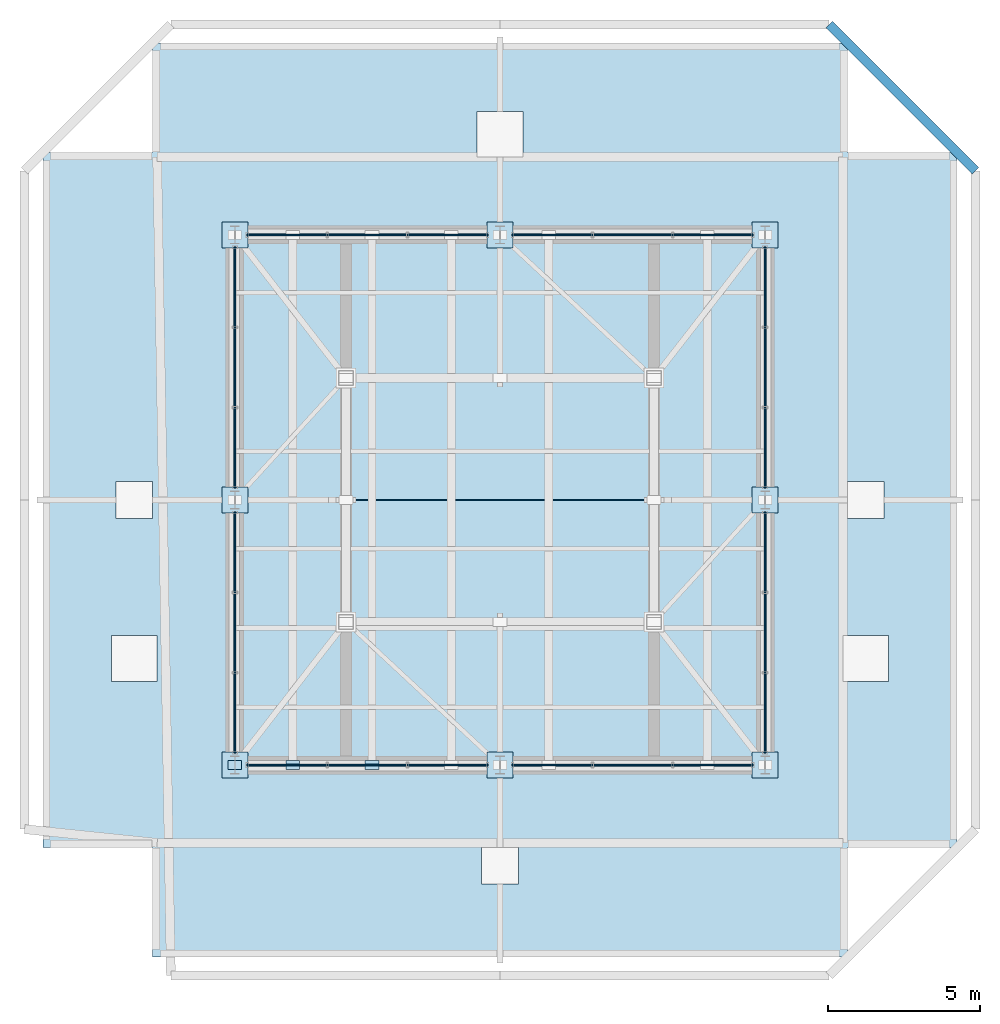
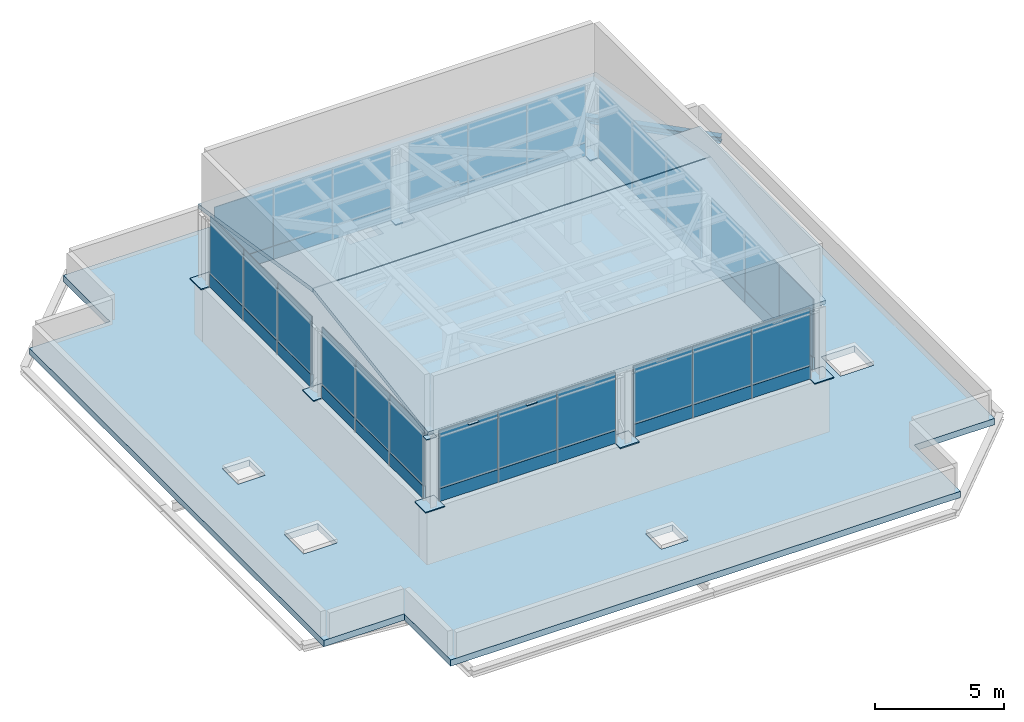
# One storey, part 20 of 22: 59 plates, 3 slabs, 1 beam, 8 elements without a shape of their own.
"""IFC4 building model written with IfcOpenShell, lengths in metres."""

from ifc_helpers import new_model, si_unit, direction, frame, origin, origin_2d, place, context, subcontext, project, spatial, polyline, rectangle, i_section, outline, extrude, material, layer, layer_set, material_profile, profile_set, type_object, element, aggregate, save


model = new_model("IFC4")

# Units and contexts
model_context = context("Model", 3, precision=1e-05, world=origin(), true_north=direction((0.0, 1.0)))
body_context = subcontext(model_context, "Body", "Model", "MODEL_VIEW")
ifc_project = project(units=[si_unit("LENGTHUNIT", "METRE"), si_unit("AREAUNIT", "SQUARE_METRE"), si_unit("VOLUMEUNIT", "CUBIC_METRE"), si_unit("PLANEANGLEUNIT", "RADIAN"), si_unit("MASSUNIT", "GRAM", prefix="KILO")], contexts=[model_context])

# Site, building, storey
site_placement = place(None, origin())
site = spatial("IfcSite", under=ifc_project, at=site_placement, CompositionType="ELEMENT")
building_placement = place(site_placement, origin())
building = spatial("IfcBuilding", under=site, at=building_placement, Name="Belovzor Exchange Tower", CompositionType="ELEMENT")
storey_placement = place(building_placement, frame((0.0, 0.0, 378.60009765625)))
storey = spatial("IfcBuildingStorey", under=building, at=storey_placement, Name="RF", CompositionType="ELEMENT", Elevation=378.60009765625)

# Beam
ifc_material_1 = material(Name="Steel S355", Category="steel")
ifc_material_profile = material_profile(ifc_material_1, i_section(OverallWidth=0.300048828125, OverallDepth=0.300048828125, WebThickness=0.010986328125, FlangeThickness=0.01904296875, at=origin_2d()))
ifc_profile_set = profile_set([ifc_material_profile], Name="Steel S355")
beam_type = type_object("IfcBeamType", Name="Crown Plant Primary Beam HEB 300", PredefinedType="BEAM", material=ifc_profile_set)
beam_placement = place(storey_placement, frame((44.39990234375, 39.60009765625, -0.4501953125), z_axis=(-0.707106781187, 0.707106781187, 0.0), x_axis=(-0.707106781187, -0.707106781187, 0.0)))
element("IfcBeam", 1, at=beam_placement, inside=storey, type_object=beam_type, Name="FG-CR Crown Plant Primary Beam HEB 300", PredefinedType="BEAM", context=body_context, shape_type="SweptSolid", body=[
    extrude(i_section(OverallWidth=0.300048828125, OverallDepth=0.300048828125, WebThickness=0.010986328125, FlangeThickness=0.01904296875, at=origin_2d()), origin(), (0.0, 0.0, 1.0), 6.787841796875),
])

# Plates
ifc_material_2 = material(Name="Steel S355", Category="steel")
ifc_layer_1 = layer(ifc_material_2, 0.02001953125)
ifc_layer_set_1 = layer_set([ifc_layer_1], Name="Steel S355")
plate_type_1 = type_object("IfcPlateType", Name="Crown Hollow Rafter End Cap Plate 450x300x20", PredefinedType="USERDEFINED", material=ifc_layer_set_1)
for number, where, z_axis, x_axis, name in (
    (2, (20.10009765625, 20.10009765625, 5.789794921875), (0.0, 0.0, 1.0), (1.0, 0.0, 0.0), "CP-4 Crown Hollow Rafter End Cap Plate 450x300x20"),
    (3, (22.0, 20.10009765625, 5.83984375), (0.0, 0.0, 1.0), (1.0, 0.0, 0.0), "CP-4 Crown Hollow Rafter End Cap Plate 450x300x20"),
    (4, (24.60009765625, 20.10009765625, 5.83984375), (0.0, 0.0, 1.0), (1.0, 0.0, 0.0), "CP-4 Crown Hollow Rafter End Cap Plate 450x300x20"),
):
    element("IfcPlate", number, at=place(storey_placement, frame(where, z_axis=z_axis, x_axis=x_axis)), inside=storey, type_object=plate_type_1, Name=name, ObjectType="CAP_PLATE", PredefinedType="USERDEFINED", context=body_context, shape_type="SweptSolid", body=[
        extrude(rectangle(XDim=0.449951171875, YDim=0.300048828125, at=origin_2d()), origin(), (0.0, 0.0, 1.0), 0.02001953125),
    ])
ifc_material_3 = material(Name="Steel S355", Category="steel")
ifc_layer_2 = layer(ifc_material_3, 0.050048828125)
ifc_layer_set_2 = layer_set([ifc_layer_2], Name="Steel S355")
plate_type_2 = type_object("IfcPlateType", Name="Crown Portal Column Baseplate 850x850x50", PredefinedType="USERDEFINED", material=ifc_layer_set_2)
for number, where, z_axis, x_axis, name in (
    (5, (20.10009765625, 20.10009765625, 2.57470703125), (0.0, 0.0, 1.0), (1.0, 0.0, 0.0), "BP-RC1 Crown Portal Column Baseplate 850x850x50"),
    (6, (28.800048828125, 20.10009765625, 2.57470703125), (0.0, 0.0, 1.0), (1.0, 0.0, 0.0), "BP-RC1 Crown Portal Column Baseplate 850x850x50"),
    (7, (37.5, 20.10009765625, 2.57470703125), (0.0, 0.0, 1.0), (1.0, 0.0, 0.0), "BP-RC1 Crown Portal Column Baseplate 850x850x50"),
    (8, (37.5, 28.800048828125, 2.57470703125), (0.0, 0.0, 1.0), (1.0, 0.0, 0.0), "BP-RC1 Crown Portal Column Baseplate 850x850x50"),
    (9, (37.5, 37.5, 2.57470703125), (0.0, 0.0, 1.0), (1.0, 0.0, 0.0), "BP-RC1 Crown Portal Column Baseplate 850x850x50"),
    (10, (28.800048828125, 37.5, 2.57470703125), (0.0, 0.0, 1.0), (1.0, 0.0, 0.0), "BP-RC1 Crown Portal Column Baseplate 850x850x50"),
    (11, (20.10009765625, 37.5, 2.57470703125), (0.0, 0.0, 1.0), (1.0, 0.0, 0.0), "BP-RC1 Crown Portal Column Baseplate 850x850x50"),
    (12, (20.10009765625, 28.800048828125, 2.57470703125), (0.0, 0.0, 1.0), (1.0, 0.0, 0.0), "BP-RC1 Crown Portal Column Baseplate 850x850x50"),
):
    element("IfcPlate", number, at=place(storey_placement, frame(where, z_axis=z_axis, x_axis=x_axis)), inside=storey, type_object=plate_type_2, Name=name, ObjectType="BASE_PLATE", PredefinedType="USERDEFINED", context=body_context, shape_type="SweptSolid", body=[
        extrude(rectangle(XDim=0.85009765625, YDim=0.85009765625, at=origin_2d()), origin(), (0.0, 0.0, 1.0), 0.050048828125),
    ])

# Curtain wall, plates
ifc_material_4 = material(Name="Anodised Aluminium Framing", Category="aluminium")
ifc_layer_3 = layer(ifc_material_4, 0.169921875)
ifc_layer_set_3 = layer_set([ifc_layer_3], Name="Anodised Aluminium Framing")
curtain_wall_type = type_object("IfcCurtainWallType", Name="Stepped Crown Faceted Lantern Curtain Wall", PredefinedType="NOTDEFINED", material=ifc_layer_set_3)
curtain_wall_1_placement = place(storey_placement, origin())
curtain_wall_1 = element("IfcCurtainWall", 13, at=curtain_wall_1_placement, inside=storey, type_object=curtain_wall_type, Name="CW6 Stepped Crown Faceted Lantern Curtain Wall RF", PredefinedType="NOTDEFINED")
ifc_material_5 = material(Name="Solar-Control Triple Glazing", Category="glass")
ifc_layer_4 = layer(ifc_material_5, 0.0439453125)
ifc_layer_set_4 = layer_set([ifc_layer_4], Name="Solar-Control Triple Glazing")
plate_type_3 = type_object("IfcPlateType", Name="Insulated Solar Glazing Curtain Panel 44", PredefinedType="CURTAIN_PANEL", material=ifc_layer_set_4)
plate_1_placement = place(storey_placement, frame((35.782958984375, 20.10009765625, 3.205322265625), z_axis=(0.0, 0.0, 1.0), x_axis=(-1.0, 0.0, 0.0)))
plate_1 = element("IfcPlate", 14, at=plate_1_placement, type_object=plate_type_3, Name="GLZ-44 Glazed Curtain Panel 1", PredefinedType="CURTAIN_PANEL", context=body_context, shape_type="SweptSolid", body=[
    extrude(rectangle(XDim=2.616943359375, YDim=0.0439453125, at=origin_2d()), origin(), (0.0, 0.0, 1.0), 2.7451171875),
])
plate_2_placement = place(storey_placement, frame((33.14990234375, 20.10009765625, 3.205322265625), z_axis=(0.0, 0.0, 1.0), x_axis=(-1.0, 0.0, 0.0)))
plate_2 = element("IfcPlate", 15, at=plate_2_placement, type_object=plate_type_3, Name="GLZ-44 Glazed Curtain Panel 2", PredefinedType="CURTAIN_PANEL", context=body_context, shape_type="SweptSolid", body=[
    extrude(rectangle(XDim=2.616943359375, YDim=0.0439453125, at=origin_2d()), origin(), (0.0, 0.0, 1.0), 2.7451171875),
])
plate_3_placement = place(storey_placement, frame((30.51708984375, 20.10009765625, 3.205322265625), z_axis=(0.0, 0.0, 1.0), x_axis=(-1.0, 0.0, 0.0)))
plate_3 = element("IfcPlate", 16, at=plate_3_placement, type_object=plate_type_3, Name="GLZ-44 Glazed Curtain Panel 3", PredefinedType="CURTAIN_PANEL", context=body_context, shape_type="SweptSolid", body=[
    extrude(rectangle(XDim=2.616943359375, YDim=0.0439453125, at=origin_2d()), origin(), (0.0, 0.0, 1.0), 2.7451171875),
])

curtain_wall_2_placement = place(storey_placement, origin())
curtain_wall_2 = element("IfcCurtainWall", 17, at=curtain_wall_2_placement, inside=storey, type_object=curtain_wall_type, Name="CW6 Stepped Crown Faceted Lantern Curtain Wall RF", PredefinedType="NOTDEFINED")
plate_4_placement = place(storey_placement, frame((27.0830078125, 20.10009765625, 3.205322265625), z_axis=(0.0, 0.0, 1.0), x_axis=(-1.0, 0.0, 0.0)))
plate_4 = element("IfcPlate", 18, at=plate_4_placement, type_object=plate_type_3, Name="GLZ-44 Glazed Curtain Panel 1", PredefinedType="CURTAIN_PANEL", context=body_context, shape_type="SweptSolid", body=[
    extrude(rectangle(XDim=2.616943359375, YDim=0.0439453125, at=origin_2d()), origin(), (0.0, 0.0, 1.0), 2.7451171875),
])
plate_5_placement = place(storey_placement, frame((24.449951171875, 20.10009765625, 3.205322265625), z_axis=(0.0, 0.0, 1.0), x_axis=(-1.0, 0.0, 0.0)))
plate_5 = element("IfcPlate", 19, at=plate_5_placement, type_object=plate_type_3, Name="GLZ-44 Glazed Curtain Panel 2", PredefinedType="CURTAIN_PANEL", context=body_context, shape_type="SweptSolid", body=[
    extrude(rectangle(XDim=2.616943359375, YDim=0.0439453125, at=origin_2d()), origin(), (0.0, 0.0, 1.0), 2.7451171875),
])
plate_6_placement = place(storey_placement, frame((21.81689453125, 20.10009765625, 3.205322265625), z_axis=(0.0, 0.0, 1.0), x_axis=(-1.0, 0.0, 0.0)))
plate_6 = element("IfcPlate", 20, at=plate_6_placement, type_object=plate_type_3, Name="GLZ-44 Glazed Curtain Panel 3", PredefinedType="CURTAIN_PANEL", context=body_context, shape_type="SweptSolid", body=[
    extrude(rectangle(XDim=2.616943359375, YDim=0.0439453125, at=origin_2d()), origin(), (0.0, 0.0, 1.0), 2.7451171875),
])

curtain_wall_3_placement = place(storey_placement, origin())
curtain_wall_3 = element("IfcCurtainWall", 21, at=curtain_wall_3_placement, inside=storey, type_object=curtain_wall_type, Name="CW6 Stepped Crown Faceted Lantern Curtain Wall RF", PredefinedType="NOTDEFINED")
plate_7_placement = place(storey_placement, frame((21.81689453125, 37.5, 3.205322265625), z_axis=(0.0, 0.0, 1.0), x_axis=(1.0, 0.0, 0.0)))
plate_7 = element("IfcPlate", 22, at=plate_7_placement, type_object=plate_type_3, Name="GLZ-44 Glazed Curtain Panel 1", PredefinedType="CURTAIN_PANEL", context=body_context, shape_type="SweptSolid", body=[
    extrude(rectangle(XDim=2.616943359375, YDim=0.0439453125, at=origin_2d()), origin(), (0.0, 0.0, 1.0), 2.7451171875),
])
plate_8_placement = place(storey_placement, frame((24.449951171875, 37.5, 3.205322265625), z_axis=(0.0, 0.0, 1.0), x_axis=(1.0, 0.0, 0.0)))
plate_8 = element("IfcPlate", 23, at=plate_8_placement, type_object=plate_type_3, Name="GLZ-44 Glazed Curtain Panel 2", PredefinedType="CURTAIN_PANEL", context=body_context, shape_type="SweptSolid", body=[
    extrude(rectangle(XDim=2.616943359375, YDim=0.0439453125, at=origin_2d()), origin(), (0.0, 0.0, 1.0), 2.7451171875),
])
plate_9_placement = place(storey_placement, frame((27.0830078125, 37.5, 3.205322265625), z_axis=(0.0, 0.0, 1.0), x_axis=(1.0, 0.0, 0.0)))
plate_9 = element("IfcPlate", 24, at=plate_9_placement, type_object=plate_type_3, Name="GLZ-44 Glazed Curtain Panel 3", PredefinedType="CURTAIN_PANEL", context=body_context, shape_type="SweptSolid", body=[
    extrude(rectangle(XDim=2.616943359375, YDim=0.0439453125, at=origin_2d()), origin(), (0.0, 0.0, 1.0), 2.7451171875),
])

curtain_wall_4_placement = place(storey_placement, origin())
curtain_wall_4 = element("IfcCurtainWall", 25, at=curtain_wall_4_placement, inside=storey, type_object=curtain_wall_type, Name="CW6 Stepped Crown Faceted Lantern Curtain Wall RF", PredefinedType="NOTDEFINED")
plate_10_placement = place(storey_placement, frame((30.51708984375, 37.5, 3.205322265625), z_axis=(0.0, 0.0, 1.0), x_axis=(1.0, 0.0, 0.0)))
plate_10 = element("IfcPlate", 26, at=plate_10_placement, type_object=plate_type_3, Name="GLZ-44 Glazed Curtain Panel 1", PredefinedType="CURTAIN_PANEL", context=body_context, shape_type="SweptSolid", body=[
    extrude(rectangle(XDim=2.616943359375, YDim=0.0439453125, at=origin_2d()), origin(), (0.0, 0.0, 1.0), 2.7451171875),
])
plate_11_placement = place(storey_placement, frame((33.14990234375, 37.5, 3.205322265625), z_axis=(0.0, 0.0, 1.0), x_axis=(1.0, 0.0, 0.0)))
plate_11 = element("IfcPlate", 27, at=plate_11_placement, type_object=plate_type_3, Name="GLZ-44 Glazed Curtain Panel 2", PredefinedType="CURTAIN_PANEL", context=body_context, shape_type="SweptSolid", body=[
    extrude(rectangle(XDim=2.616943359375, YDim=0.0439453125, at=origin_2d()), origin(), (0.0, 0.0, 1.0), 2.7451171875),
])
plate_12_placement = place(storey_placement, frame((35.782958984375, 37.5, 3.205322265625), z_axis=(0.0, 0.0, 1.0), x_axis=(1.0, 0.0, 0.0)))
plate_12 = element("IfcPlate", 28, at=plate_12_placement, type_object=plate_type_3, Name="GLZ-44 Glazed Curtain Panel 3", PredefinedType="CURTAIN_PANEL", context=body_context, shape_type="SweptSolid", body=[
    extrude(rectangle(XDim=2.616943359375, YDim=0.0439453125, at=origin_2d()), origin(), (0.0, 0.0, 1.0), 2.7451171875),
])

curtain_wall_5_placement = place(storey_placement, origin())
curtain_wall_5 = element("IfcCurtainWall", 29, at=curtain_wall_5_placement, inside=storey, type_object=curtain_wall_type, Name="CW6 Stepped Crown Faceted Lantern Curtain Wall RF", PredefinedType="NOTDEFINED")
plate_13_placement = place(storey_placement, frame((20.10009765625, 21.81689453125, 3.205322265625), z_axis=(0.0, 0.0, 1.0), x_axis=(0.0, 1.0, 0.0)))
plate_13 = element("IfcPlate", 30, at=plate_13_placement, type_object=plate_type_3, Name="GLZ-44 Glazed Curtain Panel 1", PredefinedType="CURTAIN_PANEL", context=body_context, shape_type="SweptSolid", body=[
    extrude(rectangle(XDim=2.616943359375, YDim=0.0439453125, at=origin_2d()), origin(), (0.0, 0.0, 1.0), 2.7451171875),
])
plate_14_placement = place(storey_placement, frame((20.10009765625, 24.449951171875, 3.205322265625), z_axis=(0.0, 0.0, 1.0), x_axis=(0.0, 1.0, 0.0)))
plate_14 = element("IfcPlate", 31, at=plate_14_placement, type_object=plate_type_3, Name="GLZ-44 Glazed Curtain Panel 2", PredefinedType="CURTAIN_PANEL", context=body_context, shape_type="SweptSolid", body=[
    extrude(rectangle(XDim=2.616943359375, YDim=0.0439453125, at=origin_2d()), origin(), (0.0, 0.0, 1.0), 2.7451171875),
])
plate_15_placement = place(storey_placement, frame((20.10009765625, 27.0830078125, 3.205322265625), z_axis=(0.0, 0.0, 1.0), x_axis=(0.0, 1.0, 0.0)))
plate_15 = element("IfcPlate", 32, at=plate_15_placement, type_object=plate_type_3, Name="GLZ-44 Glazed Curtain Panel 3", PredefinedType="CURTAIN_PANEL", context=body_context, shape_type="SweptSolid", body=[
    extrude(rectangle(XDim=2.616943359375, YDim=0.0439453125, at=origin_2d()), origin(), (0.0, 0.0, 1.0), 2.7451171875),
])

curtain_wall_6_placement = place(storey_placement, origin())
curtain_wall_6 = element("IfcCurtainWall", 33, at=curtain_wall_6_placement, inside=storey, type_object=curtain_wall_type, Name="CW6 Stepped Crown Faceted Lantern Curtain Wall RF", PredefinedType="NOTDEFINED")
plate_16_placement = place(storey_placement, frame((20.10009765625, 30.51708984375, 3.205322265625), z_axis=(0.0, 0.0, 1.0), x_axis=(0.0, 1.0, 0.0)))
plate_16 = element("IfcPlate", 34, at=plate_16_placement, type_object=plate_type_3, Name="GLZ-44 Glazed Curtain Panel 1", PredefinedType="CURTAIN_PANEL", context=body_context, shape_type="SweptSolid", body=[
    extrude(rectangle(XDim=2.616943359375, YDim=0.0439453125, at=origin_2d()), origin(), (0.0, 0.0, 1.0), 2.7451171875),
])
plate_17_placement = place(storey_placement, frame((20.10009765625, 33.14990234375, 3.205322265625), z_axis=(0.0, 0.0, 1.0), x_axis=(0.0, 1.0, 0.0)))
plate_17 = element("IfcPlate", 35, at=plate_17_placement, type_object=plate_type_3, Name="GLZ-44 Glazed Curtain Panel 2", PredefinedType="CURTAIN_PANEL", context=body_context, shape_type="SweptSolid", body=[
    extrude(rectangle(XDim=2.616943359375, YDim=0.0439453125, at=origin_2d()), origin(), (0.0, 0.0, 1.0), 2.7451171875),
])
plate_18_placement = place(storey_placement, frame((20.10009765625, 35.782958984375, 3.205322265625), z_axis=(0.0, 0.0, 1.0), x_axis=(0.0, 1.0, 0.0)))
plate_18 = element("IfcPlate", 36, at=plate_18_placement, type_object=plate_type_3, Name="GLZ-44 Glazed Curtain Panel 3", PredefinedType="CURTAIN_PANEL", context=body_context, shape_type="SweptSolid", body=[
    extrude(rectangle(XDim=2.616943359375, YDim=0.0439453125, at=origin_2d()), origin(), (0.0, 0.0, 1.0), 2.7451171875),
])

curtain_wall_7_placement = place(storey_placement, origin())
curtain_wall_7 = element("IfcCurtainWall", 37, at=curtain_wall_7_placement, inside=storey, type_object=curtain_wall_type, Name="CW6 Stepped Crown Faceted Lantern Curtain Wall RF", PredefinedType="NOTDEFINED")
plate_19_placement = place(storey_placement, frame((37.5, 35.782958984375, 3.205322265625), z_axis=(0.0, 0.0, 1.0), x_axis=(0.0, -1.0, 0.0)))
plate_19 = element("IfcPlate", 38, at=plate_19_placement, type_object=plate_type_3, Name="GLZ-44 Glazed Curtain Panel 1", PredefinedType="CURTAIN_PANEL", context=body_context, shape_type="SweptSolid", body=[
    extrude(rectangle(XDim=2.616943359375, YDim=0.0439453125, at=origin_2d()), origin(), (0.0, 0.0, 1.0), 2.7451171875),
])
plate_20_placement = place(storey_placement, frame((37.5, 33.14990234375, 3.205322265625), z_axis=(0.0, 0.0, 1.0), x_axis=(0.0, -1.0, 0.0)))
plate_20 = element("IfcPlate", 39, at=plate_20_placement, type_object=plate_type_3, Name="GLZ-44 Glazed Curtain Panel 2", PredefinedType="CURTAIN_PANEL", context=body_context, shape_type="SweptSolid", body=[
    extrude(rectangle(XDim=2.616943359375, YDim=0.0439453125, at=origin_2d()), origin(), (0.0, 0.0, 1.0), 2.7451171875),
])
plate_21_placement = place(storey_placement, frame((37.5, 30.51708984375, 3.205322265625), z_axis=(0.0, 0.0, 1.0), x_axis=(0.0, -1.0, 0.0)))
plate_21 = element("IfcPlate", 40, at=plate_21_placement, type_object=plate_type_3, Name="GLZ-44 Glazed Curtain Panel 3", PredefinedType="CURTAIN_PANEL", context=body_context, shape_type="SweptSolid", body=[
    extrude(rectangle(XDim=2.616943359375, YDim=0.0439453125, at=origin_2d()), origin(), (0.0, 0.0, 1.0), 2.7451171875),
])

curtain_wall_8_placement = place(storey_placement, origin())
curtain_wall_8 = element("IfcCurtainWall", 41, at=curtain_wall_8_placement, inside=storey, type_object=curtain_wall_type, Name="CW6 Stepped Crown Faceted Lantern Curtain Wall RF", PredefinedType="NOTDEFINED")
plate_22_placement = place(storey_placement, frame((37.5, 27.0830078125, 3.205322265625), z_axis=(0.0, 0.0, 1.0), x_axis=(0.0, -1.0, 0.0)))
plate_22 = element("IfcPlate", 42, at=plate_22_placement, type_object=plate_type_3, Name="GLZ-44 Glazed Curtain Panel 1", PredefinedType="CURTAIN_PANEL", context=body_context, shape_type="SweptSolid", body=[
    extrude(rectangle(XDim=2.616943359375, YDim=0.0439453125, at=origin_2d()), origin(), (0.0, 0.0, 1.0), 2.7451171875),
])
plate_23_placement = place(storey_placement, frame((37.5, 24.449951171875, 3.205322265625), z_axis=(0.0, 0.0, 1.0), x_axis=(0.0, -1.0, 0.0)))
plate_23 = element("IfcPlate", 43, at=plate_23_placement, type_object=plate_type_3, Name="GLZ-44 Glazed Curtain Panel 2", PredefinedType="CURTAIN_PANEL", context=body_context, shape_type="SweptSolid", body=[
    extrude(rectangle(XDim=2.616943359375, YDim=0.0439453125, at=origin_2d()), origin(), (0.0, 0.0, 1.0), 2.7451171875),
])
plate_24_placement = place(storey_placement, frame((37.5, 21.81689453125, 3.205322265625), z_axis=(0.0, 0.0, 1.0), x_axis=(0.0, -1.0, 0.0)))
plate_24 = element("IfcPlate", 44, at=plate_24_placement, type_object=plate_type_3, Name="GLZ-44 Glazed Curtain Panel 3", PredefinedType="CURTAIN_PANEL", context=body_context, shape_type="SweptSolid", body=[
    extrude(rectangle(XDim=2.616943359375, YDim=0.0439453125, at=origin_2d()), origin(), (0.0, 0.0, 1.0), 2.7451171875),
])

# Slabs
ifc_material_6 = material(Name="Concrete C40/50", Category="concrete")
ifc_layer_5 = layer(ifc_material_6, 0.199951171875)
ifc_layer_set_5 = layer_set([ifc_layer_5], Name="Concrete C40/50")
slab_type_1 = type_object("IfcSlabType", Name="Reinforced Concrete Crown Cap Apex Roof Plate 200", PredefinedType="ROOF", material=ifc_layer_set_5)
for number, where, z_axis, x_axis, name in (
    (45, (19.89990234375, 19.89990234375, 6.199951171875), (0.0, -0.155637803048, 0.98781419015), (1.0, 0.0, 0.0), "SL-RF200 Crown Cap Apex Roof Slope S"),
    (46, (19.89990234375, 28.81494140625, 7.599853515625), (0.0, 0.155637803048, 0.98781419015), (1.0, 0.0, 0.0), "SL-RF200 Crown Cap Apex Roof Slope N"),
):
    element("IfcSlab", number, at=place(storey_placement, frame(where, z_axis=z_axis, x_axis=x_axis)), inside=storey, type_object=slab_type_1, Name=name, PredefinedType="ROOF", context=body_context, shape_type="SweptSolid", body=[
        extrude(outline(polyline([(0.0, 0.0), (17.800048828125, 0.0), (17.800048828125, 8.994616451371806), (0.0, 8.994616451371806), (0.0, 0.0)])), origin(), (0.0, 0.0, -1.0), 0.199951171875),
    ])
ifc_material_7 = material(Name="Concrete C40/50", Category="concrete")
ifc_layer_6 = layer(ifc_material_7, 0.300048828125)
ifc_layer_set_6 = layer_set([ifc_layer_6], Name="Concrete C40/50")
slab_type_2 = type_object("IfcSlabType", Name="Reinforced Concrete Crown Roof Slab 300", PredefinedType="ROOF", material=ifc_layer_set_6)
slab_placement = place(storey_placement, frame((0.0, 0.0, -0.300048828125)))
element("IfcSlab", 47, at=slab_placement, inside=storey, type_object=slab_type_2, Name="SL-RF300 Structural Slab RF", PredefinedType="ROOF", context=body_context, shape_type="SweptSolid", body=[
    extrude(outline(polyline([(17.39990234375, 13.800048828125), (40.199951171875, 13.800048828125), (40.199951171875, 17.39990234375), (43.800048828125, 17.39990234375), (43.800048828125, 40.199951171875), (40.199951171875, 40.199951171875), (40.199951171875, 43.800048828125), (17.39990234375, 43.800048828125), (17.39990234375, 40.199951171875), (13.800048828125, 40.199951171875), (13.800048828125, 17.39990234375), (17.39990234375, 17.39990234375), (17.39990234375, 13.800048828125)]), holes=[polyline([(16.199951171875, 28.199951171875), (17.39990234375, 28.199951171875), (17.39990234375, 29.39990234375), (16.199951171875, 29.39990234375), (16.199951171875, 28.199951171875)]), polyline([(40.199951171875, 28.199951171875), (41.39990234375, 28.199951171875), (41.39990234375, 29.39990234375), (40.199951171875, 29.39990234375), (40.199951171875, 28.199951171875)]), polyline([(28.199951171875, 16.199951171875), (29.39990234375, 16.199951171875), (29.39990234375, 17.39990234375), (28.199951171875, 17.39990234375), (28.199951171875, 16.199951171875)]), polyline([(16.050048828125, 22.85009765625), (17.550048828125, 22.85009765625), (17.550048828125, 24.35009765625), (16.050048828125, 24.35009765625), (16.050048828125, 22.85009765625)]), polyline([(40.050048828125, 22.85009765625), (41.550048828125, 22.85009765625), (41.550048828125, 24.35009765625), (40.050048828125, 24.35009765625), (40.050048828125, 22.85009765625)]), polyline([(28.050048828125, 40.050048828125), (29.550048828125, 40.050048828125), (29.550048828125, 41.550048828125), (28.050048828125, 41.550048828125), (28.050048828125, 40.050048828125)])]), origin(), (0.0, 0.0, 1.0), 0.300048828125),
])

# Plate
ifc_material_8 = material(Name="Extruded Architectural Terracotta", Category="masonry")
ifc_layer_7 = layer(ifc_material_8, 0.090087890625)
ifc_layer_set_7 = layer_set([ifc_layer_7], Name="Extruded Architectural Terracotta")
plate_type_4 = type_object("IfcPlateType", Name="Terracotta Shadow-Box Spandrel Panel 90", PredefinedType="CURTAIN_PANEL", material=ifc_layer_set_7)
plate_25_placement = place(storey_placement, frame((35.782958984375, 20.10009765625, 2.599365234375), z_axis=(0.0, 0.0, 1.0), x_axis=(-1.0, 0.0, 0.0)))
plate_25 = element("IfcPlate", 48, at=plate_25_placement, type_object=plate_type_4, Name="SPD-90 Spandrel Panel 1", PredefinedType="CURTAIN_PANEL", context=body_context, shape_type="SweptSolid", body=[
    extrude(rectangle(XDim=2.616943359375, YDim=0.090087890625, at=origin_2d()), origin(), (0.0, 0.0, 1.0), 0.60107421875),
])

plate_26_placement = place(storey_placement, frame((33.14990234375, 20.10009765625, 2.599365234375), z_axis=(0.0, 0.0, 1.0), x_axis=(-1.0, 0.0, 0.0)))
plate_26 = element("IfcPlate", 49, at=plate_26_placement, type_object=plate_type_4, Name="SPD-90 Spandrel Panel 2", PredefinedType="CURTAIN_PANEL", context=body_context, shape_type="SweptSolid", body=[
    extrude(rectangle(XDim=2.616943359375, YDim=0.090087890625, at=origin_2d()), origin(), (0.0, 0.0, 1.0), 0.60107421875),
])

plate_27_placement = place(storey_placement, frame((30.51708984375, 20.10009765625, 2.599365234375), z_axis=(0.0, 0.0, 1.0), x_axis=(-1.0, 0.0, 0.0)))
plate_27 = element("IfcPlate", 50, at=plate_27_placement, type_object=plate_type_4, Name="SPD-90 Spandrel Panel 3", PredefinedType="CURTAIN_PANEL", context=body_context, shape_type="SweptSolid", body=[
    extrude(rectangle(XDim=2.616943359375, YDim=0.090087890625, at=origin_2d()), origin(), (0.0, 0.0, 1.0), 0.60107421875),
])

aggregate(curtain_wall_1, [plate_25, plate_1, plate_26, plate_2, plate_27, plate_3])

plate_28_placement = place(storey_placement, frame((27.0830078125, 20.10009765625, 2.599365234375), z_axis=(0.0, 0.0, 1.0), x_axis=(-1.0, 0.0, 0.0)))
plate_28 = element("IfcPlate", 51, at=plate_28_placement, type_object=plate_type_4, Name="SPD-90 Spandrel Panel 1", PredefinedType="CURTAIN_PANEL", context=body_context, shape_type="SweptSolid", body=[
    extrude(rectangle(XDim=2.616943359375, YDim=0.090087890625, at=origin_2d()), origin(), (0.0, 0.0, 1.0), 0.60107421875),
])

plate_29_placement = place(storey_placement, frame((24.449951171875, 20.10009765625, 2.599365234375), z_axis=(0.0, 0.0, 1.0), x_axis=(-1.0, 0.0, 0.0)))
plate_29 = element("IfcPlate", 52, at=plate_29_placement, type_object=plate_type_4, Name="SPD-90 Spandrel Panel 2", PredefinedType="CURTAIN_PANEL", context=body_context, shape_type="SweptSolid", body=[
    extrude(rectangle(XDim=2.616943359375, YDim=0.090087890625, at=origin_2d()), origin(), (0.0, 0.0, 1.0), 0.60107421875),
])

plate_30_placement = place(storey_placement, frame((21.81689453125, 20.10009765625, 2.599365234375), z_axis=(0.0, 0.0, 1.0), x_axis=(-1.0, 0.0, 0.0)))
plate_30 = element("IfcPlate", 53, at=plate_30_placement, type_object=plate_type_4, Name="SPD-90 Spandrel Panel 3", PredefinedType="CURTAIN_PANEL", context=body_context, shape_type="SweptSolid", body=[
    extrude(rectangle(XDim=2.616943359375, YDim=0.090087890625, at=origin_2d()), origin(), (0.0, 0.0, 1.0), 0.60107421875),
])

aggregate(curtain_wall_2, [plate_28, plate_4, plate_29, plate_5, plate_30, plate_6])

plate_31_placement = place(storey_placement, frame((21.81689453125, 37.5, 2.599365234375), z_axis=(0.0, 0.0, 1.0), x_axis=(1.0, 0.0, 0.0)))
plate_31 = element("IfcPlate", 54, at=plate_31_placement, type_object=plate_type_4, Name="SPD-90 Spandrel Panel 1", PredefinedType="CURTAIN_PANEL", context=body_context, shape_type="SweptSolid", body=[
    extrude(rectangle(XDim=2.616943359375, YDim=0.090087890625, at=origin_2d()), origin(), (0.0, 0.0, 1.0), 0.60107421875),
])

plate_32_placement = place(storey_placement, frame((24.449951171875, 37.5, 2.599365234375), z_axis=(0.0, 0.0, 1.0), x_axis=(1.0, 0.0, 0.0)))
plate_32 = element("IfcPlate", 55, at=plate_32_placement, type_object=plate_type_4, Name="SPD-90 Spandrel Panel 2", PredefinedType="CURTAIN_PANEL", context=body_context, shape_type="SweptSolid", body=[
    extrude(rectangle(XDim=2.616943359375, YDim=0.090087890625, at=origin_2d()), origin(), (0.0, 0.0, 1.0), 0.60107421875),
])

plate_33_placement = place(storey_placement, frame((27.0830078125, 37.5, 2.599365234375), z_axis=(0.0, 0.0, 1.0), x_axis=(1.0, 0.0, 0.0)))
plate_33 = element("IfcPlate", 56, at=plate_33_placement, type_object=plate_type_4, Name="SPD-90 Spandrel Panel 3", PredefinedType="CURTAIN_PANEL", context=body_context, shape_type="SweptSolid", body=[
    extrude(rectangle(XDim=2.616943359375, YDim=0.090087890625, at=origin_2d()), origin(), (0.0, 0.0, 1.0), 0.60107421875),
])

aggregate(curtain_wall_3, [plate_31, plate_7, plate_32, plate_8, plate_33, plate_9])

plate_34_placement = place(storey_placement, frame((30.51708984375, 37.5, 2.599365234375), z_axis=(0.0, 0.0, 1.0), x_axis=(1.0, 0.0, 0.0)))
plate_34 = element("IfcPlate", 57, at=plate_34_placement, type_object=plate_type_4, Name="SPD-90 Spandrel Panel 1", PredefinedType="CURTAIN_PANEL", context=body_context, shape_type="SweptSolid", body=[
    extrude(rectangle(XDim=2.616943359375, YDim=0.090087890625, at=origin_2d()), origin(), (0.0, 0.0, 1.0), 0.60107421875),
])

plate_35_placement = place(storey_placement, frame((33.14990234375, 37.5, 2.599365234375), z_axis=(0.0, 0.0, 1.0), x_axis=(1.0, 0.0, 0.0)))
plate_35 = element("IfcPlate", 58, at=plate_35_placement, type_object=plate_type_4, Name="SPD-90 Spandrel Panel 2", PredefinedType="CURTAIN_PANEL", context=body_context, shape_type="SweptSolid", body=[
    extrude(rectangle(XDim=2.616943359375, YDim=0.090087890625, at=origin_2d()), origin(), (0.0, 0.0, 1.0), 0.60107421875),
])

plate_36_placement = place(storey_placement, frame((35.782958984375, 37.5, 2.599365234375), z_axis=(0.0, 0.0, 1.0), x_axis=(1.0, 0.0, 0.0)))
plate_36 = element("IfcPlate", 59, at=plate_36_placement, type_object=plate_type_4, Name="SPD-90 Spandrel Panel 3", PredefinedType="CURTAIN_PANEL", context=body_context, shape_type="SweptSolid", body=[
    extrude(rectangle(XDim=2.616943359375, YDim=0.090087890625, at=origin_2d()), origin(), (0.0, 0.0, 1.0), 0.60107421875),
])

aggregate(curtain_wall_4, [plate_34, plate_10, plate_35, plate_11, plate_36, plate_12])

plate_37_placement = place(storey_placement, frame((20.10009765625, 21.81689453125, 2.599365234375), z_axis=(0.0, 0.0, 1.0), x_axis=(0.0, 1.0, 0.0)))
plate_37 = element("IfcPlate", 60, at=plate_37_placement, type_object=plate_type_4, Name="SPD-90 Spandrel Panel 1", PredefinedType="CURTAIN_PANEL", context=body_context, shape_type="SweptSolid", body=[
    extrude(rectangle(XDim=2.616943359375, YDim=0.090087890625, at=origin_2d()), origin(), (0.0, 0.0, 1.0), 0.60107421875),
])

plate_38_placement = place(storey_placement, frame((20.10009765625, 24.449951171875, 2.599365234375), z_axis=(0.0, 0.0, 1.0), x_axis=(0.0, 1.0, 0.0)))
plate_38 = element("IfcPlate", 61, at=plate_38_placement, type_object=plate_type_4, Name="SPD-90 Spandrel Panel 2", PredefinedType="CURTAIN_PANEL", context=body_context, shape_type="SweptSolid", body=[
    extrude(rectangle(XDim=2.616943359375, YDim=0.090087890625, at=origin_2d()), origin(), (0.0, 0.0, 1.0), 0.60107421875),
])

plate_39_placement = place(storey_placement, frame((20.10009765625, 27.0830078125, 2.599365234375), z_axis=(0.0, 0.0, 1.0), x_axis=(0.0, 1.0, 0.0)))
plate_39 = element("IfcPlate", 62, at=plate_39_placement, type_object=plate_type_4, Name="SPD-90 Spandrel Panel 3", PredefinedType="CURTAIN_PANEL", context=body_context, shape_type="SweptSolid", body=[
    extrude(rectangle(XDim=2.616943359375, YDim=0.090087890625, at=origin_2d()), origin(), (0.0, 0.0, 1.0), 0.60107421875),
])

aggregate(curtain_wall_5, [plate_37, plate_13, plate_38, plate_14, plate_39, plate_15])

plate_40_placement = place(storey_placement, frame((20.10009765625, 30.51708984375, 2.599365234375), z_axis=(0.0, 0.0, 1.0), x_axis=(0.0, 1.0, 0.0)))
plate_40 = element("IfcPlate", 63, at=plate_40_placement, type_object=plate_type_4, Name="SPD-90 Spandrel Panel 1", PredefinedType="CURTAIN_PANEL", context=body_context, shape_type="SweptSolid", body=[
    extrude(rectangle(XDim=2.616943359375, YDim=0.090087890625, at=origin_2d()), origin(), (0.0, 0.0, 1.0), 0.60107421875),
])

plate_41_placement = place(storey_placement, frame((20.10009765625, 33.14990234375, 2.599365234375), z_axis=(0.0, 0.0, 1.0), x_axis=(0.0, 1.0, 0.0)))
plate_41 = element("IfcPlate", 64, at=plate_41_placement, type_object=plate_type_4, Name="SPD-90 Spandrel Panel 2", PredefinedType="CURTAIN_PANEL", context=body_context, shape_type="SweptSolid", body=[
    extrude(rectangle(XDim=2.616943359375, YDim=0.090087890625, at=origin_2d()), origin(), (0.0, 0.0, 1.0), 0.60107421875),
])

plate_42_placement = place(storey_placement, frame((20.10009765625, 35.782958984375, 2.599365234375), z_axis=(0.0, 0.0, 1.0), x_axis=(0.0, 1.0, 0.0)))
plate_42 = element("IfcPlate", 65, at=plate_42_placement, type_object=plate_type_4, Name="SPD-90 Spandrel Panel 3", PredefinedType="CURTAIN_PANEL", context=body_context, shape_type="SweptSolid", body=[
    extrude(rectangle(XDim=2.616943359375, YDim=0.090087890625, at=origin_2d()), origin(), (0.0, 0.0, 1.0), 0.60107421875),
])

aggregate(curtain_wall_6, [plate_40, plate_16, plate_41, plate_17, plate_42, plate_18])

plate_43_placement = place(storey_placement, frame((37.5, 35.782958984375, 2.599365234375), z_axis=(0.0, 0.0, 1.0), x_axis=(0.0, -1.0, 0.0)))
plate_43 = element("IfcPlate", 66, at=plate_43_placement, type_object=plate_type_4, Name="SPD-90 Spandrel Panel 1", PredefinedType="CURTAIN_PANEL", context=body_context, shape_type="SweptSolid", body=[
    extrude(rectangle(XDim=2.616943359375, YDim=0.090087890625, at=origin_2d()), origin(), (0.0, 0.0, 1.0), 0.60107421875),
])

plate_44_placement = place(storey_placement, frame((37.5, 33.14990234375, 2.599365234375), z_axis=(0.0, 0.0, 1.0), x_axis=(0.0, -1.0, 0.0)))
plate_44 = element("IfcPlate", 67, at=plate_44_placement, type_object=plate_type_4, Name="SPD-90 Spandrel Panel 2", PredefinedType="CURTAIN_PANEL", context=body_context, shape_type="SweptSolid", body=[
    extrude(rectangle(XDim=2.616943359375, YDim=0.090087890625, at=origin_2d()), origin(), (0.0, 0.0, 1.0), 0.60107421875),
])

plate_45_placement = place(storey_placement, frame((37.5, 30.51708984375, 2.599365234375), z_axis=(0.0, 0.0, 1.0), x_axis=(0.0, -1.0, 0.0)))
plate_45 = element("IfcPlate", 68, at=plate_45_placement, type_object=plate_type_4, Name="SPD-90 Spandrel Panel 3", PredefinedType="CURTAIN_PANEL", context=body_context, shape_type="SweptSolid", body=[
    extrude(rectangle(XDim=2.616943359375, YDim=0.090087890625, at=origin_2d()), origin(), (0.0, 0.0, 1.0), 0.60107421875),
])

aggregate(curtain_wall_7, [plate_43, plate_19, plate_44, plate_20, plate_45, plate_21])

plate_46_placement = place(storey_placement, frame((37.5, 27.0830078125, 2.599365234375), z_axis=(0.0, 0.0, 1.0), x_axis=(0.0, -1.0, 0.0)))
plate_46 = element("IfcPlate", 69, at=plate_46_placement, type_object=plate_type_4, Name="SPD-90 Spandrel Panel 1", PredefinedType="CURTAIN_PANEL", context=body_context, shape_type="SweptSolid", body=[
    extrude(rectangle(XDim=2.616943359375, YDim=0.090087890625, at=origin_2d()), origin(), (0.0, 0.0, 1.0), 0.60107421875),
])

plate_47_placement = place(storey_placement, frame((37.5, 24.449951171875, 2.599365234375), z_axis=(0.0, 0.0, 1.0), x_axis=(0.0, -1.0, 0.0)))
plate_47 = element("IfcPlate", 70, at=plate_47_placement, type_object=plate_type_4, Name="SPD-90 Spandrel Panel 2", PredefinedType="CURTAIN_PANEL", context=body_context, shape_type="SweptSolid", body=[
    extrude(rectangle(XDim=2.616943359375, YDim=0.090087890625, at=origin_2d()), origin(), (0.0, 0.0, 1.0), 0.60107421875),
])

plate_48_placement = place(storey_placement, frame((37.5, 21.81689453125, 2.599365234375), z_axis=(0.0, 0.0, 1.0), x_axis=(0.0, -1.0, 0.0)))
plate_48 = element("IfcPlate", 71, at=plate_48_placement, type_object=plate_type_4, Name="SPD-90 Spandrel Panel 3", PredefinedType="CURTAIN_PANEL", context=body_context, shape_type="SweptSolid", body=[
    extrude(rectangle(XDim=2.616943359375, YDim=0.090087890625, at=origin_2d()), origin(), (0.0, 0.0, 1.0), 0.60107421875),
])

aggregate(curtain_wall_8, [plate_46, plate_22, plate_47, plate_23, plate_48, plate_24])

save(model, "model.ifc")
